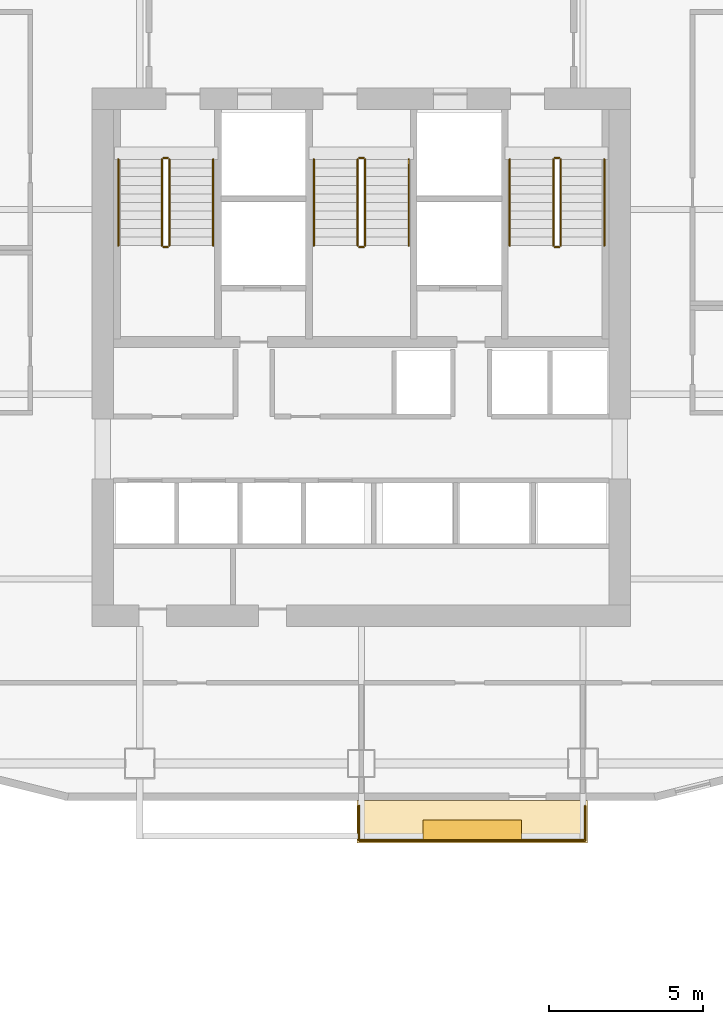
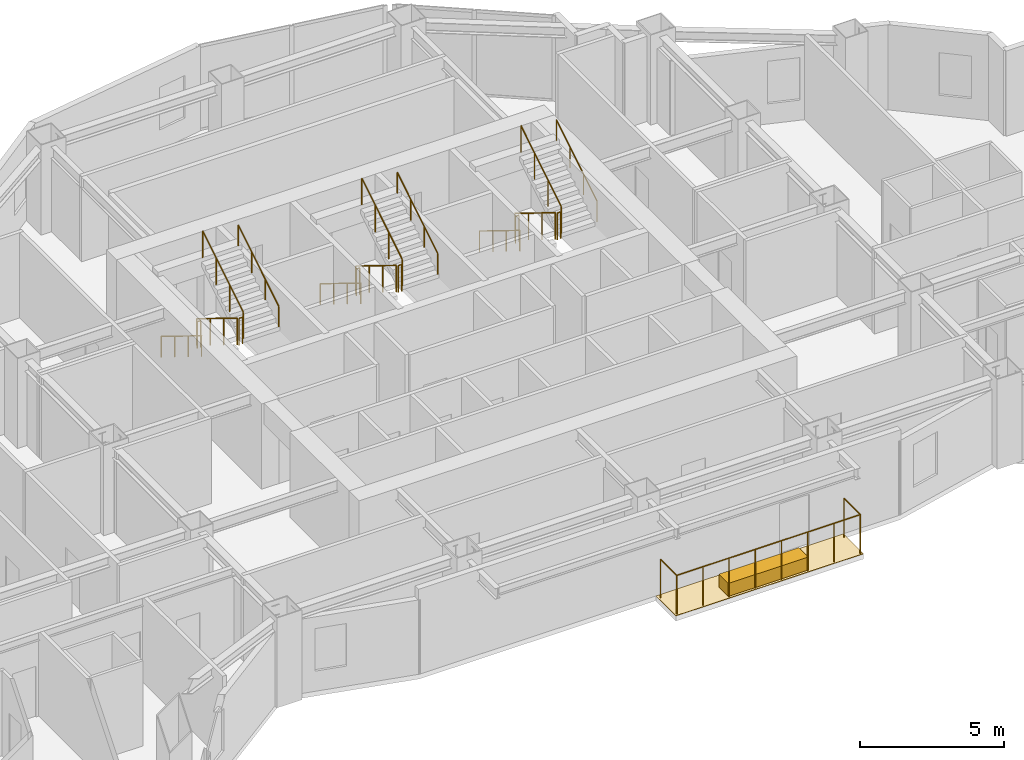
# One storey, part 13 of 13: 20 railings, 2 coverings.
"""IFC4 building model written with IfcOpenShell, lengths in metres."""

from ifc_helpers import new_model, si_unit, direction, frame, origin, origin_2d, place, context, subcontext, project, spatial, polyline, rectangle, circle, outline, extrude, material, layer, layer_set, type_object, element, save


model = new_model("IFC4")

# Units and contexts
model_context = context("Model", 3, precision=1e-05, world=origin(), true_north=direction((0.0, 1.0)))
body_context = subcontext(model_context, "Body", "Model", "MODEL_VIEW")
ifc_project = project(units=[si_unit("LENGTHUNIT", "METRE"), si_unit("AREAUNIT", "SQUARE_METRE"), si_unit("VOLUMEUNIT", "CUBIC_METRE"), si_unit("PLANEANGLEUNIT", "RADIAN"), si_unit("MASSUNIT", "GRAM", prefix="KILO")], contexts=[model_context])

# Site, building, storey
site_placement = place(None, origin())
site = spatial("IfcSite", under=ifc_project, at=site_placement, CompositionType="ELEMENT")
building_placement = place(site_placement, origin())
building = spatial("IfcBuilding", under=site, at=building_placement, Name="Haolan Belvedere Tower", CompositionType="ELEMENT")
storey_placement = place(building_placement, frame((0.0, 0.0, 128.800048828125)))
storey = spatial("IfcBuildingStorey", under=building, at=storey_placement, Name="L32", CompositionType="ELEMENT", Elevation=128.800048828125)

# Coverings
ifc_material_1 = material(Name="Engineered lightweight planted garden soil substrate", Category="masonry")
ifc_layer_1 = layer(ifc_material_1, 0.550048828125, Name="Engineered lightweight planted garden soil substrate")
ifc_layer_set_1 = layer_set([ifc_layer_1], Name="Engineered lightweight planted garden soil substrate")
covering_type_1 = type_object("IfcCoveringType", Name="COV-PLANT-550", PredefinedType="MEMBRANE", material=ifc_layer_set_1)
covering_1_placement = place(storey_placement, frame((42.0, 19.43994140625, 0.0), z_axis=(0.0, 0.0, 1.0), x_axis=(1.0, 0.0, 0.0)))
element("IfcCovering", 1, at=covering_1_placement, inside=storey, type_object=covering_type_1, Name="L32 structural tree balcony PLANTER box 1", PredefinedType="MEMBRANE", context=body_context, shape_type="SweptSolid", body=[
    extrude(rectangle(XDim=3.199951171875, YDim=0.64990234375, at=origin_2d()), origin(), (0.0, 0.0, 1.0), 0.550048828125),
])
ifc_material_2 = material(Name="Elastomeric waterproof roofing membrane and stone pavers", Category="masonry")
ifc_layer_2 = layer(ifc_material_2, 0.02001953125, Name="Elastomeric waterproof roofing membrane and stone pavers")
ifc_layer_set_2 = layer_set([ifc_layer_2], Name="Elastomeric waterproof roofing membrane and stone pavers")
covering_type_2 = type_object("IfcCoveringType", Name="COV-ROOF-20", PredefinedType="ROOFING", material=ifc_layer_set_2)
covering_2_placement = place(storey_placement, frame((0.0, 0.0, -0.02001953125)))
element("IfcCovering", 2, at=covering_2_placement, inside=storey, type_object=covering_type_2, Name="L32 tree-balcony waterproof membrane 1", PredefinedType="ROOFING", context=body_context, shape_type="SweptSolid", body=[
    extrude(outline(polyline([(38.25, 19.02001953125), (45.75, 19.02001953125), (45.75, 20.39990234375), (38.25, 20.39990234375), (38.25, 19.02001953125)])), origin(), (0.0, 0.0, 1.0), 0.02001953125),
])

# Railings
ifc_material_3 = material(Name="Brushed stainless steel 304", Category="steel")
railing_type_1 = type_object("IfcRailingType", Name="RL-STAIR-GRD-1150", PredefinedType="GUARDRAIL", material=ifc_material_3)
railing_1_placement = place(storey_placement, frame((31.919921875, 41.22998046875, 0.172607421875)))
element("IfcRailing", 3, at=railing_1_placement, inside=storey, type_object=railing_type_1, Name="L32 ST1 stair guard 1", PredefinedType="GUARDRAIL", context=body_context, shape_type="SweptSolid", body=[
    extrude(circle(Radius=0.02392578125, at=origin_2d()), frame((0.0, 0.0, 1.1259765625), z_axis=(0.0, -0.851089632645, 0.525020415988), x_axis=(1.0, 0.0, 0.0)), (0.0, 0.0, 1.0), 3.2900390625),
    extrude(circle(Radius=0.02099609375, at=origin_2d()), origin(), (0.0, 0.0, 1.0), 1.101806640625),
    extrude(circle(Radius=0.02099609375, at=origin_2d()), frame((0.0, -0.933349609375, 0.57568359375)), (0.0, 0.0, 1.0), 1.101806640625),
    extrude(circle(Radius=0.02099609375, at=origin_2d()), frame((0.0, -1.86669921875, 1.151611328125)), (0.0, 0.0, 1.0), 1.101806640625),
    extrude(circle(Radius=0.02099609375, at=origin_2d()), frame((0.0, -2.800048828125, 1.727294921875)), (0.0, 0.0, 1.0), 1.101806640625),
])
railing_2_placement = place(storey_placement, frame((31.969970703125, 38.3798828125, 1.89990234375)))
element("IfcRailing", 4, at=railing_2_placement, inside=storey, type_object=railing_type_1, Name="L32 ST1 stair guard 2", PredefinedType="GUARDRAIL", context=body_context, shape_type="SweptSolid", body=[
    extrude(circle(Radius=0.02392578125, at=origin_2d()), frame((0.0, 0.0, 1.1259765625), z_axis=(1.0, 0.0, 0.0), x_axis=(0.0, 1.0, 0.0)), (0.0, 0.0, 1.0), 0.14013671875),
    extrude(circle(Radius=0.02099609375, at=origin_2d()), origin(), (0.0, 0.0, 1.0), 1.101806640625),
    extrude(circle(Radius=0.02099609375, at=origin_2d()), frame((0.14013671875, 0.0, 0.0)), (0.0, 0.0, 1.0), 1.101806640625),
])
railing_3_placement = place(storey_placement, frame((32.159912109375, 38.429931640625, 2.07275390625)))
element("IfcRailing", 5, at=railing_3_placement, inside=storey, type_object=railing_type_1, Name="L32 ST1 stair guard 3", PredefinedType="GUARDRAIL", context=body_context, shape_type="SweptSolid", body=[
    extrude(circle(Radius=0.02392578125, at=origin_2d()), frame((0.0, 0.0, 1.1259765625), z_axis=(0.0, 0.851089632645, 0.525020415988), x_axis=(-1.0, 0.0, 0.0)), (0.0, 0.0, 1.0), 3.2900390625),
    extrude(circle(Radius=0.02099609375, at=origin_2d()), origin(), (0.0, 0.0, 1.0), 1.101806640625),
    extrude(circle(Radius=0.02099609375, at=origin_2d()), frame((0.0, 0.933349609375, 0.57568359375)), (0.0, 0.0, 1.0), 1.101806640625),
    extrude(circle(Radius=0.02099609375, at=origin_2d()), frame((0.0, 1.86669921875, 1.151611328125)), (0.0, 0.0, 1.0), 1.101806640625),
    extrude(circle(Radius=0.02099609375, at=origin_2d()), frame((0.0, 2.800048828125, 1.727294921875)), (0.0, 0.0, 1.0), 1.101806640625),
])
railing_4_placement = place(storey_placement, frame((31.969970703125, 41.280029296875, 0.0)))
element("IfcRailing", 6, at=railing_4_placement, inside=storey, type_object=railing_type_1, Name="L32 ST1 stair guard 4", PredefinedType="GUARDRAIL", context=body_context, shape_type="SweptSolid", body=[
    extrude(circle(Radius=0.02392578125, at=origin_2d()), frame((0.0, 0.0, 1.1259765625), z_axis=(1.0, 0.0, 0.0), x_axis=(0.0, 1.0, 0.0)), (0.0, 0.0, 1.0), 0.14013671875),
    extrude(circle(Radius=0.02099609375, at=origin_2d()), origin(), (0.0, 0.0, 1.0), 1.101806640625),
    extrude(circle(Radius=0.02099609375, at=origin_2d()), frame((0.14013671875, 0.0, 0.0)), (0.0, 0.0, 1.0), 1.101806640625),
])
railing_5_placement = place(storey_placement, frame((38.280029296875, 41.22998046875, 0.172607421875)))
element("IfcRailing", 7, at=railing_5_placement, inside=storey, type_object=railing_type_1, Name="L32 ST3 stair guard 1", PredefinedType="GUARDRAIL", context=body_context, shape_type="SweptSolid", body=[
    extrude(circle(Radius=0.02392578125, at=origin_2d()), frame((0.0, 0.0, 1.1259765625), z_axis=(0.0, -0.851089632645, 0.525020415988), x_axis=(1.0, 0.0, 0.0)), (0.0, 0.0, 1.0), 3.2900390625),
    extrude(circle(Radius=0.02099609375, at=origin_2d()), origin(), (0.0, 0.0, 1.0), 1.101806640625),
    extrude(circle(Radius=0.02099609375, at=origin_2d()), frame((0.0, -0.933349609375, 0.57568359375)), (0.0, 0.0, 1.0), 1.101806640625),
    extrude(circle(Radius=0.02099609375, at=origin_2d()), frame((0.0, -1.86669921875, 1.151611328125)), (0.0, 0.0, 1.0), 1.101806640625),
    extrude(circle(Radius=0.02099609375, at=origin_2d()), frame((0.0, -2.800048828125, 1.727294921875)), (0.0, 0.0, 1.0), 1.101806640625),
])
railing_6_placement = place(storey_placement, frame((38.330078125, 38.3798828125, 1.89990234375)))
element("IfcRailing", 8, at=railing_6_placement, inside=storey, type_object=railing_type_1, Name="L32 ST3 stair guard 2", PredefinedType="GUARDRAIL", context=body_context, shape_type="SweptSolid", body=[
    extrude(circle(Radius=0.02392578125, at=origin_2d()), frame((0.0, 0.0, 1.1259765625), z_axis=(1.0, 0.0, 0.0), x_axis=(0.0, 1.0, 0.0)), (0.0, 0.0, 1.0), 0.139892578125),
    extrude(circle(Radius=0.02099609375, at=origin_2d()), origin(), (0.0, 0.0, 1.0), 1.101806640625),
    extrude(circle(Radius=0.02099609375, at=origin_2d()), frame((0.139892578125, 0.0, 0.0)), (0.0, 0.0, 1.0), 1.101806640625),
])
railing_7_placement = place(storey_placement, frame((38.52001953125, 38.429931640625, 2.07275390625)))
element("IfcRailing", 9, at=railing_7_placement, inside=storey, type_object=railing_type_1, Name="L32 ST3 stair guard 3", PredefinedType="GUARDRAIL", context=body_context, shape_type="SweptSolid", body=[
    extrude(circle(Radius=0.02392578125, at=origin_2d()), frame((0.0, 0.0, 1.1259765625), z_axis=(0.0, 0.851089632645, 0.525020415988), x_axis=(-1.0, 0.0, 0.0)), (0.0, 0.0, 1.0), 3.2900390625),
    extrude(circle(Radius=0.02099609375, at=origin_2d()), origin(), (0.0, 0.0, 1.0), 1.101806640625),
    extrude(circle(Radius=0.02099609375, at=origin_2d()), frame((0.0, 0.933349609375, 0.57568359375)), (0.0, 0.0, 1.0), 1.101806640625),
    extrude(circle(Radius=0.02099609375, at=origin_2d()), frame((0.0, 1.86669921875, 1.151611328125)), (0.0, 0.0, 1.0), 1.101806640625),
    extrude(circle(Radius=0.02099609375, at=origin_2d()), frame((0.0, 2.800048828125, 1.727294921875)), (0.0, 0.0, 1.0), 1.101806640625),
])
railing_8_placement = place(storey_placement, frame((38.330078125, 41.280029296875, 0.0)))
element("IfcRailing", 10, at=railing_8_placement, inside=storey, type_object=railing_type_1, Name="L32 ST3 stair guard 4", PredefinedType="GUARDRAIL", context=body_context, shape_type="SweptSolid", body=[
    extrude(circle(Radius=0.02392578125, at=origin_2d()), frame((0.0, 0.0, 1.1259765625), z_axis=(1.0, 0.0, 0.0), x_axis=(0.0, 1.0, 0.0)), (0.0, 0.0, 1.0), 0.139892578125),
    extrude(circle(Radius=0.02099609375, at=origin_2d()), origin(), (0.0, 0.0, 1.0), 1.101806640625),
    extrude(circle(Radius=0.02099609375, at=origin_2d()), frame((0.139892578125, 0.0, 0.0)), (0.0, 0.0, 1.0), 1.101806640625),
])
railing_9_placement = place(storey_placement, frame((44.639892578125, 41.22998046875, 0.172607421875)))
element("IfcRailing", 11, at=railing_9_placement, inside=storey, type_object=railing_type_1, Name="L32 ST2 stair guard 1", PredefinedType="GUARDRAIL", context=body_context, shape_type="SweptSolid", body=[
    extrude(circle(Radius=0.02392578125, at=origin_2d()), frame((0.0, 0.0, 1.1259765625), z_axis=(0.0, -0.851089632645, 0.525020415988), x_axis=(1.0, 0.0, 0.0)), (0.0, 0.0, 1.0), 3.2900390625),
    extrude(circle(Radius=0.02099609375, at=origin_2d()), origin(), (0.0, 0.0, 1.0), 1.101806640625),
    extrude(circle(Radius=0.02099609375, at=origin_2d()), frame((0.0, -0.933349609375, 0.57568359375)), (0.0, 0.0, 1.0), 1.101806640625),
    extrude(circle(Radius=0.02099609375, at=origin_2d()), frame((0.0, -1.86669921875, 1.151611328125)), (0.0, 0.0, 1.0), 1.101806640625),
    extrude(circle(Radius=0.02099609375, at=origin_2d()), frame((0.0, -2.800048828125, 1.727294921875)), (0.0, 0.0, 1.0), 1.101806640625),
])
railing_10_placement = place(storey_placement, frame((44.68994140625, 38.3798828125, 1.89990234375)))
element("IfcRailing", 12, at=railing_10_placement, inside=storey, type_object=railing_type_1, Name="L32 ST2 stair guard 2", PredefinedType="GUARDRAIL", context=body_context, shape_type="SweptSolid", body=[
    extrude(circle(Radius=0.02392578125, at=origin_2d()), frame((0.0, 0.0, 1.1259765625), z_axis=(1.0, 0.0, 0.0), x_axis=(0.0, 1.0, 0.0)), (0.0, 0.0, 1.0), 0.14013671875),
    extrude(circle(Radius=0.02099609375, at=origin_2d()), origin(), (0.0, 0.0, 1.0), 1.101806640625),
    extrude(circle(Radius=0.02099609375, at=origin_2d()), frame((0.14013671875, 0.0, 0.0)), (0.0, 0.0, 1.0), 1.101806640625),
])
railing_11_placement = place(storey_placement, frame((44.8798828125, 38.429931640625, 2.07275390625)))
element("IfcRailing", 13, at=railing_11_placement, inside=storey, type_object=railing_type_1, Name="L32 ST2 stair guard 3", PredefinedType="GUARDRAIL", context=body_context, shape_type="SweptSolid", body=[
    extrude(circle(Radius=0.02392578125, at=origin_2d()), frame((0.0, 0.0, 1.1259765625), z_axis=(0.0, 0.851089632645, 0.525020415988), x_axis=(-1.0, 0.0, 0.0)), (0.0, 0.0, 1.0), 3.2900390625),
    extrude(circle(Radius=0.02099609375, at=origin_2d()), origin(), (0.0, 0.0, 1.0), 1.101806640625),
    extrude(circle(Radius=0.02099609375, at=origin_2d()), frame((0.0, 0.933349609375, 0.57568359375)), (0.0, 0.0, 1.0), 1.101806640625),
    extrude(circle(Radius=0.02099609375, at=origin_2d()), frame((0.0, 1.86669921875, 1.151611328125)), (0.0, 0.0, 1.0), 1.101806640625),
    extrude(circle(Radius=0.02099609375, at=origin_2d()), frame((0.0, 2.800048828125, 1.727294921875)), (0.0, 0.0, 1.0), 1.101806640625),
])
railing_12_placement = place(storey_placement, frame((44.68994140625, 41.280029296875, 0.0)))
element("IfcRailing", 14, at=railing_12_placement, inside=storey, type_object=railing_type_1, Name="L32 ST2 stair guard 4", PredefinedType="GUARDRAIL", context=body_context, shape_type="SweptSolid", body=[
    extrude(circle(Radius=0.02392578125, at=origin_2d()), frame((0.0, 0.0, 1.1259765625), z_axis=(1.0, 0.0, 0.0), x_axis=(0.0, 1.0, 0.0)), (0.0, 0.0, 1.0), 0.14013671875),
    extrude(circle(Radius=0.02099609375, at=origin_2d()), origin(), (0.0, 0.0, 1.0), 1.101806640625),
    extrude(circle(Radius=0.02099609375, at=origin_2d()), frame((0.14013671875, 0.0, 0.0)), (0.0, 0.0, 1.0), 1.101806640625),
])
railing_type_2 = type_object("IfcRailingType", Name="RL-STAIR-HND-900", PredefinedType="HANDRAIL", material=ifc_material_3)
railing_13_placement = place(storey_placement, frame((30.5, 41.22998046875, 0.172607421875)))
element("IfcRailing", 15, at=railing_13_placement, inside=storey, type_object=railing_type_2, Name="L32 ST1 stair handrail 1", PredefinedType="HANDRAIL", context=body_context, shape_type="SweptSolid", body=[
    extrude(circle(Radius=0.02392578125, at=origin_2d()), frame((0.0, 0.0, 0.8759765625), z_axis=(0.0, -0.851089632645, 0.525020415988), x_axis=(1.0, 0.0, 0.0)), (0.0, 0.0, 1.0), 3.2900390625),
    extrude(circle(Radius=0.02099609375, at=origin_2d()), origin(), (0.0, 0.0, 1.0), 0.851806640625),
    extrude(circle(Radius=0.02099609375, at=origin_2d()), frame((0.0, -0.933349609375, 0.57568359375)), (0.0, 0.0, 1.0), 0.851806640625),
    extrude(circle(Radius=0.02099609375, at=origin_2d()), frame((0.0, -1.86669921875, 1.151611328125)), (0.0, 0.0, 1.0), 0.851806640625),
    extrude(circle(Radius=0.02099609375, at=origin_2d()), frame((0.0, -2.800048828125, 1.727294921875)), (0.0, 0.0, 1.0), 0.851806640625),
])
railing_14_placement = place(storey_placement, frame((33.580078125, 38.429931640625, 2.07275390625)))
element("IfcRailing", 16, at=railing_14_placement, inside=storey, type_object=railing_type_2, Name="L32 ST1 stair handrail 2", PredefinedType="HANDRAIL", context=body_context, shape_type="SweptSolid", body=[
    extrude(circle(Radius=0.02392578125, at=origin_2d()), frame((0.0, 0.0, 0.8759765625), z_axis=(0.0, 0.851089632645, 0.525020415988), x_axis=(-1.0, 0.0, 0.0)), (0.0, 0.0, 1.0), 3.2900390625),
    extrude(circle(Radius=0.02099609375, at=origin_2d()), origin(), (0.0, 0.0, 1.0), 0.851806640625),
    extrude(circle(Radius=0.02099609375, at=origin_2d()), frame((0.0, 0.933349609375, 0.57568359375)), (0.0, 0.0, 1.0), 0.851806640625),
    extrude(circle(Radius=0.02099609375, at=origin_2d()), frame((0.0, 1.86669921875, 1.151611328125)), (0.0, 0.0, 1.0), 0.851806640625),
    extrude(circle(Radius=0.02099609375, at=origin_2d()), frame((0.0, 2.800048828125, 1.727294921875)), (0.0, 0.0, 1.0), 0.851806640625),
])
railing_15_placement = place(storey_placement, frame((36.860107421875, 41.22998046875, 0.172607421875)))
element("IfcRailing", 17, at=railing_15_placement, inside=storey, type_object=railing_type_2, Name="L32 ST3 stair handrail 1", PredefinedType="HANDRAIL", context=body_context, shape_type="SweptSolid", body=[
    extrude(circle(Radius=0.02392578125, at=origin_2d()), frame((0.0, 0.0, 0.8759765625), z_axis=(0.0, -0.851089632645, 0.525020415988), x_axis=(1.0, 0.0, 0.0)), (0.0, 0.0, 1.0), 3.2900390625),
    extrude(circle(Radius=0.02099609375, at=origin_2d()), origin(), (0.0, 0.0, 1.0), 0.851806640625),
    extrude(circle(Radius=0.02099609375, at=origin_2d()), frame((0.0, -0.933349609375, 0.57568359375)), (0.0, 0.0, 1.0), 0.851806640625),
    extrude(circle(Radius=0.02099609375, at=origin_2d()), frame((0.0, -1.86669921875, 1.151611328125)), (0.0, 0.0, 1.0), 0.851806640625),
    extrude(circle(Radius=0.02099609375, at=origin_2d()), frame((0.0, -2.800048828125, 1.727294921875)), (0.0, 0.0, 1.0), 0.851806640625),
])
railing_16_placement = place(storey_placement, frame((39.93994140625, 38.429931640625, 2.07275390625)))
element("IfcRailing", 18, at=railing_16_placement, inside=storey, type_object=railing_type_2, Name="L32 ST3 stair handrail 2", PredefinedType="HANDRAIL", context=body_context, shape_type="SweptSolid", body=[
    extrude(circle(Radius=0.02392578125, at=origin_2d()), frame((0.0, 0.0, 0.8759765625), z_axis=(0.0, 0.851089632645, 0.525020415988), x_axis=(-1.0, 0.0, 0.0)), (0.0, 0.0, 1.0), 3.2900390625),
    extrude(circle(Radius=0.02099609375, at=origin_2d()), origin(), (0.0, 0.0, 1.0), 0.851806640625),
    extrude(circle(Radius=0.02099609375, at=origin_2d()), frame((0.0, 0.933349609375, 0.57568359375)), (0.0, 0.0, 1.0), 0.851806640625),
    extrude(circle(Radius=0.02099609375, at=origin_2d()), frame((0.0, 1.86669921875, 1.151611328125)), (0.0, 0.0, 1.0), 0.851806640625),
    extrude(circle(Radius=0.02099609375, at=origin_2d()), frame((0.0, 2.800048828125, 1.727294921875)), (0.0, 0.0, 1.0), 0.851806640625),
])
railing_17_placement = place(storey_placement, frame((43.219970703125, 41.22998046875, 0.172607421875)))
element("IfcRailing", 19, at=railing_17_placement, inside=storey, type_object=railing_type_2, Name="L32 ST2 stair handrail 1", PredefinedType="HANDRAIL", context=body_context, shape_type="SweptSolid", body=[
    extrude(circle(Radius=0.02392578125, at=origin_2d()), frame((0.0, 0.0, 0.8759765625), z_axis=(0.0, -0.851089632645, 0.525020415988), x_axis=(1.0, 0.0, 0.0)), (0.0, 0.0, 1.0), 3.2900390625),
    extrude(circle(Radius=0.02099609375, at=origin_2d()), origin(), (0.0, 0.0, 1.0), 0.851806640625),
    extrude(circle(Radius=0.02099609375, at=origin_2d()), frame((0.0, -0.933349609375, 0.57568359375)), (0.0, 0.0, 1.0), 0.851806640625),
    extrude(circle(Radius=0.02099609375, at=origin_2d()), frame((0.0, -1.86669921875, 1.151611328125)), (0.0, 0.0, 1.0), 0.851806640625),
    extrude(circle(Radius=0.02099609375, at=origin_2d()), frame((0.0, -2.800048828125, 1.727294921875)), (0.0, 0.0, 1.0), 0.851806640625),
])
railing_18_placement = place(storey_placement, frame((46.300048828125, 38.429931640625, 2.07275390625)))
element("IfcRailing", 20, at=railing_18_placement, inside=storey, type_object=railing_type_2, Name="L32 ST2 stair handrail 2", PredefinedType="HANDRAIL", context=body_context, shape_type="SweptSolid", body=[
    extrude(circle(Radius=0.02392578125, at=origin_2d()), frame((0.0, 0.0, 0.8759765625), z_axis=(0.0, 0.851089632645, 0.525020415988), x_axis=(-1.0, 0.0, 0.0)), (0.0, 0.0, 1.0), 3.2900390625),
    extrude(circle(Radius=0.02099609375, at=origin_2d()), origin(), (0.0, 0.0, 1.0), 0.851806640625),
    extrude(circle(Radius=0.02099609375, at=origin_2d()), frame((0.0, 0.933349609375, 0.57568359375)), (0.0, 0.0, 1.0), 0.851806640625),
    extrude(circle(Radius=0.02099609375, at=origin_2d()), frame((0.0, 1.86669921875, 1.151611328125)), (0.0, 0.0, 1.0), 0.851806640625),
    extrude(circle(Radius=0.02099609375, at=origin_2d()), frame((0.0, 2.800048828125, 1.727294921875)), (0.0, 0.0, 1.0), 0.851806640625),
])
ifc_material_4 = material(Name="Anodised aluminium and laminated glass balustrade", Category="aluminium")
railing_type_3 = type_object("IfcRailingType", Name="RL-TER-BAL-1150", PredefinedType="BALUSTRADE", material=ifc_material_4)
railing_19_placement = place(storey_placement, frame((38.330078125, 19.10009765625, 0.0)))
element("IfcRailing", 21, at=railing_19_placement, inside=storey, type_object=railing_type_3, Name="L32 outdoor perimeter balustrade BAL-L32-1-1", PredefinedType="BALUSTRADE", context=body_context, shape_type="SweptSolid", body=[
    extrude(circle(Radius=0.02392578125, at=origin_2d()), frame((0.0, 0.0, 1.6259765625), z_axis=(0.0, 1.0, 0.0), x_axis=(-1.0, 0.0, 0.0)), (0.0, 0.0, 1.0), 1.119873046875),
    extrude(circle(Radius=0.02099609375, at=origin_2d()), origin(), (0.0, 0.0, 1.0), 1.601806640625),
    extrude(circle(Radius=0.02099609375, at=origin_2d()), frame((0.0, 1.119873046875, 0.0)), (0.0, 0.0, 1.0), 1.601806640625),
])
railing_20_placement = place(storey_placement, frame((45.669921875, 20.219970703125, 0.0)))
element("IfcRailing", 22, at=railing_20_placement, inside=storey, type_object=railing_type_3, Name="L32 outdoor perimeter balustrade BAL-L32-1-2", PredefinedType="BALUSTRADE", context=body_context, shape_type="SweptSolid", body=[
    extrude(circle(Radius=0.02392578125, at=origin_2d()), frame((0.0, 0.0, 1.6259765625), z_axis=(0.0, -1.0, 0.0), x_axis=(1.0, 0.0, 0.0)), (0.0, 0.0, 1.0), 1.119873046875),
    extrude(circle(Radius=0.02392578125, at=origin_2d()), frame((0.0, -1.119873046875, 1.6259765625), z_axis=(-1.0, 0.0, 0.0), x_axis=(0.0, -1.0, 0.0)), (0.0, 0.0, 1.0), 7.33984375),
    extrude(circle(Radius=0.02099609375, at=origin_2d()), origin(), (0.0, 0.0, 1.0), 1.601806640625),
    extrude(circle(Radius=0.02099609375, at=origin_2d()), frame((0.0, -1.119873046875, 0.0)), (0.0, 0.0, 1.0), 1.601806640625),
    extrude(circle(Radius=0.02099609375, at=origin_2d()), frame((-1.048583984375, -1.119873046875, 0.0)), (0.0, 0.0, 1.0), 1.601806640625),
    extrude(circle(Radius=0.02099609375, at=origin_2d()), frame((-2.09716796875, -1.119873046875, 0.0)), (0.0, 0.0, 1.0), 1.601806640625),
    extrude(circle(Radius=0.02099609375, at=origin_2d()), frame((-3.145751953125, -1.119873046875, 0.0)), (0.0, 0.0, 1.0), 1.601806640625),
    extrude(circle(Radius=0.02099609375, at=origin_2d()), frame((-4.194091796875, -1.119873046875, 0.0)), (0.0, 0.0, 1.0), 1.601806640625),
    extrude(circle(Radius=0.02099609375, at=origin_2d()), frame((-5.24267578125, -1.119873046875, 0.0)), (0.0, 0.0, 1.0), 1.601806640625),
    extrude(circle(Radius=0.02099609375, at=origin_2d()), frame((-6.291259765625, -1.119873046875, 0.0)), (0.0, 0.0, 1.0), 1.601806640625),
    extrude(circle(Radius=0.02099609375, at=origin_2d()), frame((-7.33984375, -1.119873046875, 0.0)), (0.0, 0.0, 1.0), 1.601806640625),
])

save(model, "model.ifc")
